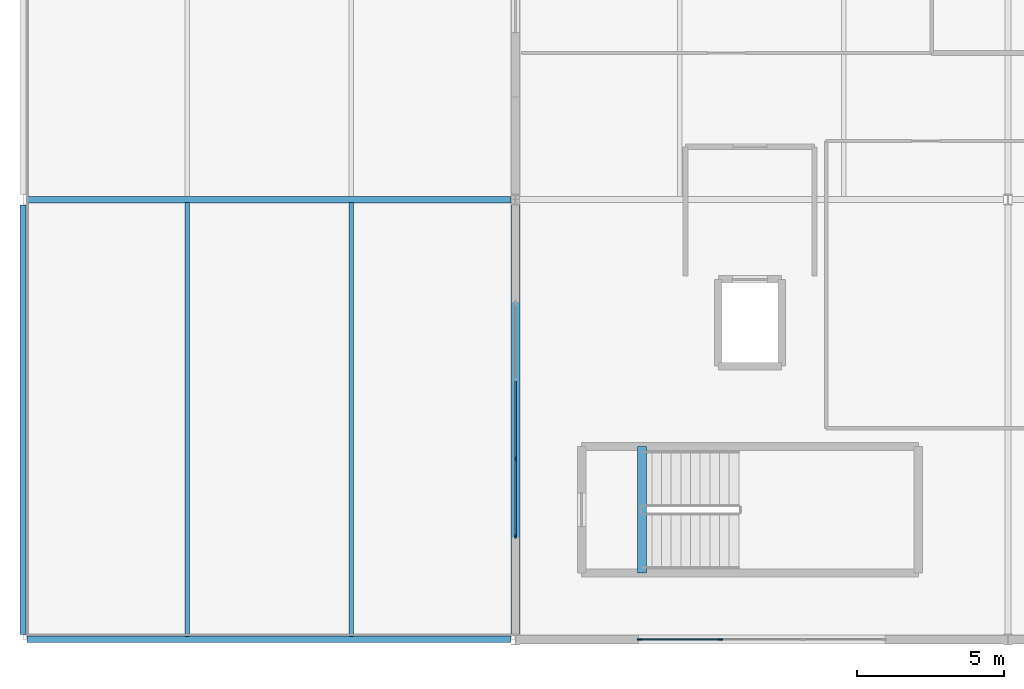
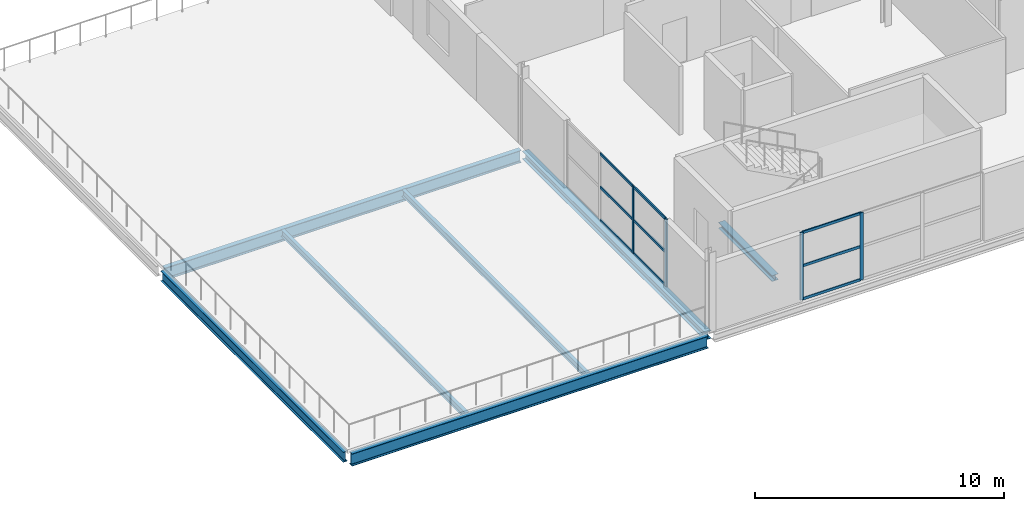
# One storey, part 3 of 18: 13 members, 7 beams, 2 elements without a shape of their own.
"""IFC4 building model written with IfcOpenShell, lengths in metres."""

from ifc_helpers import new_model, si_unit, direction, frame, origin, origin_2d, place, context, subcontext, project, spatial, rectangle, i_section, extrude, material, material_profile, profile_set, type_object, element, aggregate, save


model = new_model("IFC4")

# Units and contexts
model_context = context("Model", 3, precision=1e-05, world=origin(), true_north=direction((0.0, 1.0)))
body_context = subcontext(model_context, "Body", "Model", "MODEL_VIEW")
ifc_project = project(units=[si_unit("LENGTHUNIT", "METRE"), si_unit("AREAUNIT", "SQUARE_METRE"), si_unit("VOLUMEUNIT", "CUBIC_METRE"), si_unit("PLANEANGLEUNIT", "RADIAN"), si_unit("MASSUNIT", "GRAM", prefix="KILO")], contexts=[model_context])

# Site, building, storey
site_placement = place(None, origin())
site = spatial("IfcSite", under=ifc_project, at=site_placement, CompositionType="ELEMENT")
building_placement = place(site_placement, origin())
building = spatial("IfcBuilding", under=site, at=building_placement, Name="Kimbaza Rail Terminus", CompositionType="ELEMENT")
storey_placement = place(building_placement, frame((0.0, 0.0, 24.89990234375)))
storey = spatial("IfcBuildingStorey", under=building, at=storey_placement, Name="L05", CompositionType="ELEMENT", Elevation=24.89990234375)

# Curtain wall, members
ifc_material_1 = material(Name="Anodised aluminium framing and solar low-E glazing", Category="aluminium")
curtain_wall_type = type_object("IfcCurtainWallType", Name="ARC-CW-OP2", PredefinedType="USERDEFINED", material=ifc_material_1)
curtain_wall_1_placement = place(storey_placement, origin())
curtain_wall_1 = element("IfcCurtainWall", 1, at=curtain_wall_1_placement, inside=storey, type_object=curtain_wall_type, Name="Operations South Curtain Wall L05 Bay 1", ObjectType="STICK CURTAIN WALL", PredefinedType="USERDEFINED")
ifc_material_2 = material(Name="Anodised architectural aluminium", Category="aluminium")
ifc_material_profile_1 = material_profile(ifc_material_2, rectangle(XDim=0.05810546875, YDim=0.14990234375, at=origin_2d()), Name="MULLION 58x150")
ifc_profile_set_1 = profile_set([ifc_material_profile_1], Name="Anodised architectural aluminium")
member_type_1 = type_object("IfcMemberType", Name="ARC-CWM-06", PredefinedType="MULLION", material=ifc_profile_set_1)
member_1_placement = place(storey_placement, frame((76.22900390625, 103.0, 0.0), z_axis=(0.0, 0.0, 1.0), x_axis=(0.0, 1.0, 0.0)))
member_1 = element("IfcMember", 2, at=member_1_placement, type_object=member_type_1, Name="CW-06 mullion 1", PredefinedType="MULLION", context=body_context, shape_type="SweptSolid", body=[
    extrude(rectangle(XDim=0.05810546875, YDim=0.14990234375, at=origin_2d()), origin(), (0.0, 0.0, 1.0), 3.300048828125),
])
member_2_placement = place(storey_placement, frame((79.0, 103.0, 0.0), z_axis=(0.0, 0.0, 1.0), x_axis=(0.0, 1.0, 0.0)))
member_2 = element("IfcMember", 3, at=member_2_placement, type_object=member_type_1, Name="CW-06 mullion 2", PredefinedType="MULLION", context=body_context, shape_type="SweptSolid", body=[
    extrude(rectangle(XDim=0.05810546875, YDim=0.14990234375, at=origin_2d()), origin(), (0.0, 0.0, 1.0), 3.300048828125),
])

curtain_wall_2_placement = place(storey_placement, origin())
curtain_wall_2 = element("IfcCurtainWall", 4, at=curtain_wall_2_placement, inside=storey, type_object=curtain_wall_type, Name="Operations W Curtain Wall L05.1", ObjectType="STICK CURTAIN WALL", PredefinedType="USERDEFINED")
member_3_placement = place(storey_placement, frame((72.0, 106.529052734375, 0.0), z_axis=(0.0, 0.0, 1.0), x_axis=(-1.0, 0.0, 0.0)))
member_3 = element("IfcMember", 5, at=member_3_placement, type_object=member_type_1, Name="CW-06 mullion 1", PredefinedType="MULLION", context=body_context, shape_type="SweptSolid", body=[
    extrude(rectangle(XDim=0.05810546875, YDim=0.14990234375, at=origin_2d()), origin(), (0.0, 0.0, 1.0), 3.300048828125),
])
member_4_placement = place(storey_placement, frame((72.0, 109.166748046875, 0.0), z_axis=(0.0, 0.0, 1.0), x_axis=(-1.0, 0.0, 0.0)))
member_4 = element("IfcMember", 6, at=member_4_placement, type_object=member_type_1, Name="CW-06 mullion 2", PredefinedType="MULLION", context=body_context, shape_type="SweptSolid", body=[
    extrude(rectangle(XDim=0.05810546875, YDim=0.14990234375, at=origin_2d()), origin(), (0.0, 0.0, 1.0), 3.300048828125),
])

# Member
ifc_material_3 = material(Name="Anodised architectural aluminium", Category="aluminium")
ifc_material_profile_2 = material_profile(ifc_material_3, rectangle(XDim=0.05810546875, YDim=0.125, at=origin_2d()), Name="TRANSOM 58x125")
ifc_profile_set_2 = profile_set([ifc_material_profile_2], Name="Anodised architectural aluminium")
member_type_2 = type_object("IfcMemberType", Name="ARC-CWT-06", PredefinedType="USERDEFINED", material=ifc_profile_set_2)
member_5_placement = place(storey_placement, frame((76.258056640625, 103.0, 0.029052734375), z_axis=(1.0, 0.0, 0.0), x_axis=(0.0, 1.0, 0.0)))
member_5 = element("IfcMember", 7, at=member_5_placement, type_object=member_type_2, Name="CW-06 transom 1.1", ObjectType="TRANSOM", PredefinedType="USERDEFINED", context=body_context, shape_type="SweptSolid", body=[
    extrude(rectangle(XDim=0.05810546875, YDim=0.125, at=origin_2d()), origin(), (0.0, 0.0, 1.0), 2.712890625),
])

member_6_placement = place(storey_placement, frame((76.258056640625, 103.0, 1.650146484375), z_axis=(1.0, 0.0, 0.0), x_axis=(0.0, 1.0, 0.0)))
member_6 = element("IfcMember", 8, at=member_6_placement, type_object=member_type_2, Name="CW-06 transom 1.2", ObjectType="TRANSOM", PredefinedType="USERDEFINED", context=body_context, shape_type="SweptSolid", body=[
    extrude(rectangle(XDim=0.05810546875, YDim=0.125, at=origin_2d()), origin(), (0.0, 0.0, 1.0), 2.712890625),
])

member_7_placement = place(storey_placement, frame((76.258056640625, 103.0, 3.27099609375), z_axis=(1.0, 0.0, 0.0), x_axis=(0.0, 1.0, 0.0)))
member_7 = element("IfcMember", 9, at=member_7_placement, type_object=member_type_2, Name="CW-06 transom 1.3", ObjectType="TRANSOM", PredefinedType="USERDEFINED", context=body_context, shape_type="SweptSolid", body=[
    extrude(rectangle(XDim=0.05810546875, YDim=0.125, at=origin_2d()), origin(), (0.0, 0.0, 1.0), 2.712890625),
])

aggregate(curtain_wall_1, [member_1, member_2, member_5, member_6, member_7])

member_8_placement = place(storey_placement, frame((72.0, 106.55810546875, 0.029052734375), z_axis=(0.0, 1.0, 0.0), x_axis=(-1.0, 0.0, 0.0)))
member_8 = element("IfcMember", 10, at=member_8_placement, type_object=member_type_2, Name="CW-06 transom 1.1", ObjectType="TRANSOM", PredefinedType="USERDEFINED", context=body_context, shape_type="SweptSolid", body=[
    extrude(rectangle(XDim=0.05810546875, YDim=0.125, at=origin_2d()), origin(), (0.0, 0.0, 1.0), 2.57958984375),
])

member_9_placement = place(storey_placement, frame((72.0, 106.55810546875, 1.650146484375), z_axis=(0.0, 1.0, 0.0), x_axis=(-1.0, 0.0, 0.0)))
member_9 = element("IfcMember", 11, at=member_9_placement, type_object=member_type_2, Name="CW-06 transom 1.2", ObjectType="TRANSOM", PredefinedType="USERDEFINED", context=body_context, shape_type="SweptSolid", body=[
    extrude(rectangle(XDim=0.05810546875, YDim=0.125, at=origin_2d()), origin(), (0.0, 0.0, 1.0), 2.57958984375),
])

member_10_placement = place(storey_placement, frame((72.0, 106.55810546875, 3.27099609375), z_axis=(0.0, 1.0, 0.0), x_axis=(-1.0, 0.0, 0.0)))
member_10 = element("IfcMember", 12, at=member_10_placement, type_object=member_type_2, Name="CW-06 transom 1.3", ObjectType="TRANSOM", PredefinedType="USERDEFINED", context=body_context, shape_type="SweptSolid", body=[
    extrude(rectangle(XDim=0.05810546875, YDim=0.125, at=origin_2d()), origin(), (0.0, 0.0, 1.0), 2.57958984375),
])

member_11_placement = place(storey_placement, frame((72.0, 109.195556640625, 0.029052734375), z_axis=(0.0, 1.0, 0.0), x_axis=(-1.0, 0.0, 0.0)))
member_11 = element("IfcMember", 13, at=member_11_placement, type_object=member_type_2, Name="CW-06 transom 2.1", ObjectType="TRANSOM", PredefinedType="USERDEFINED", context=body_context, shape_type="SweptSolid", body=[
    extrude(rectangle(XDim=0.05810546875, YDim=0.125, at=origin_2d()), origin(), (0.0, 0.0, 1.0), 2.60888671875),
])

member_12_placement = place(storey_placement, frame((72.0, 109.195556640625, 1.650146484375), z_axis=(0.0, 1.0, 0.0), x_axis=(-1.0, 0.0, 0.0)))
member_12 = element("IfcMember", 14, at=member_12_placement, type_object=member_type_2, Name="CW-06 transom 2.2", ObjectType="TRANSOM", PredefinedType="USERDEFINED", context=body_context, shape_type="SweptSolid", body=[
    extrude(rectangle(XDim=0.05810546875, YDim=0.125, at=origin_2d()), origin(), (0.0, 0.0, 1.0), 2.60888671875),
])

member_13_placement = place(storey_placement, frame((72.0, 109.195556640625, 3.27099609375), z_axis=(0.0, 1.0, 0.0), x_axis=(-1.0, 0.0, 0.0)))
member_13 = element("IfcMember", 15, at=member_13_placement, type_object=member_type_2, Name="CW-06 transom 2.3", ObjectType="TRANSOM", PredefinedType="USERDEFINED", context=body_context, shape_type="SweptSolid", body=[
    extrude(rectangle(XDim=0.05810546875, YDim=0.125, at=origin_2d()), origin(), (0.0, 0.0, 1.0), 2.60888671875),
])

aggregate(curtain_wall_2, [member_3, member_4, member_8, member_9, member_10, member_11, member_12, member_13])

# Beams
ifc_material_4 = material(Name="Steel S355", Category="steel")
ifc_material_profile_3 = material_profile(ifc_material_4, i_section(OverallWidth=0.300048828125, OverallDepth=0.2900390625, WebThickness=0.008544921875, FlangeThickness=0.013916015625, FilletRadius=0.027099609375, at=origin_2d()), Name="HEA 300")
ifc_profile_set_3 = profile_set([ifc_material_profile_3], Name="Steel S355")
beam_type_1 = type_object("IfcBeamType", Name="STR-BM-HEA300", PredefinedType="SPANDREL", material=ifc_profile_set_3)
beam_1_placement = place(storey_placement, frame((76.320068359375, 105.260009765625, -0.3349609375), z_axis=(0.0, 1.0, 0.0), x_axis=(-1.0, 0.0, 0.0)))
element("IfcBeam", 16, at=beam_1_placement, inside=storey, type_object=beam_type_1, Name="Operations West Exit Stair Landing Trimmer Beam L05", PredefinedType="SPANDREL", context=body_context, shape_type="SweptSolid", body=[
    extrude(i_section(OverallWidth=0.300048828125, OverallDepth=0.2900390625, WebThickness=0.008544921875, FlangeThickness=0.013916015625, FilletRadius=0.027099609375, at=origin_2d()), origin(), (0.0, 0.0, 1.0), 4.320068359375),
])
ifc_material_5 = material(Name="Steel S355", Category="steel")
ifc_material_profile_4 = material_profile(ifc_material_5, i_section(OverallWidth=0.300048828125, OverallDepth=0.389892578125, WebThickness=0.010986328125, FlangeThickness=0.01904296875, FilletRadius=0.027099609375, at=origin_2d()), Name="HEA 400")
ifc_profile_set_4 = profile_set([ifc_material_profile_4], Name="Steel S355")
beam_type_2 = type_object("IfcBeamType", Name="STR-BM-HEA400", PredefinedType="SPANDREL", material=ifc_profile_set_4)
beam_2_placement = place(storey_placement, frame((72.0, 103.175048828125, -0.385009765625), z_axis=(0.0, 1.0, 0.0), x_axis=(-1.0, 0.0, 0.0)))
element("IfcBeam", 17, at=beam_2_placement, inside=storey, type_object=beam_type_2, Name="Operations Cross Girder L05 X0-Y0", PredefinedType="SPANDREL", context=body_context, shape_type="SweptSolid", body=[
    extrude(i_section(OverallWidth=0.300048828125, OverallDepth=0.389892578125, WebThickness=0.010986328125, FlangeThickness=0.01904296875, FilletRadius=0.027099609375, at=origin_2d()), origin(), (0.0, 0.0, 1.0), 14.64990234375),
])
ifc_material_6 = material(Name="Steel S355", Category="steel")
ifc_material_profile_5 = material_profile(ifc_material_6, i_section(OverallWidth=0.159912109375, OverallDepth=0.330078125, WebThickness=0.007568359375, FlangeThickness=0.011474609375, FilletRadius=0.01806640625, at=origin_2d()), Name="IPE 330")
ifc_profile_set_5 = profile_set([ifc_material_profile_5], Name="Steel S355")
beam_type_3 = type_object("IfcBeamType", Name="STR-BM-IPE330", PredefinedType="JOIST", material=ifc_profile_set_5)
for number, where, z_axis, x_axis, name in (
    (18, (60.800048828125, 103.10009765625, -0.35498046875), (0.0, 1.0, 0.0), (-1.0, 0.0, 0.0), "Beam JST-TER5-1-0"),
    (19, (66.39990234375, 103.10009765625, -0.35498046875), (0.0, 1.0, 0.0), (-1.0, 0.0, 0.0), "Beam JST-TER5-2-0"),
):
    element("IfcBeam", number, at=place(storey_placement, frame(where, z_axis=z_axis, x_axis=x_axis)), inside=storey, type_object=beam_type_3, Name=name, PredefinedType="JOIST", context=body_context, shape_type="SweptSolid", body=[
        extrude(i_section(OverallWidth=0.159912109375, OverallDepth=0.330078125, WebThickness=0.007568359375, FlangeThickness=0.011474609375, FilletRadius=0.01806640625, at=origin_2d()), origin(), (0.0, 0.0, 1.0), 14.7998046875),
    ])
ifc_material_7 = material(Name="Steel S355", Category="steel")
ifc_material_profile_6 = material_profile(ifc_material_7, i_section(OverallWidth=0.199951171875, OverallDepth=0.5, WebThickness=0.01025390625, FlangeThickness=0.01611328125, FilletRadius=0.02099609375, at=origin_2d()), Name="IPE 500")
ifc_profile_set_6 = profile_set([ifc_material_profile_6], Name="Steel S355")
beam_type_4 = type_object("IfcBeamType", Name="STR-BM-IPE500", PredefinedType="BEAM", material=ifc_profile_set_6)
beam_3_placement = place(storey_placement, frame((55.199951171875, 103.175048828125, -0.43994140625), z_axis=(0.0, 1.0, 0.0), x_axis=(-1.0, 0.0, 0.0)))
element("IfcBeam", 20, at=beam_3_placement, inside=storey, type_object=beam_type_4, Name="Beam BM-TER5Y-0", PredefinedType="BEAM", context=body_context, shape_type="SweptSolid", body=[
    extrude(i_section(OverallWidth=0.199951171875, OverallDepth=0.5, WebThickness=0.01025390625, FlangeThickness=0.01611328125, FilletRadius=0.02099609375, at=origin_2d()), origin(), (0.0, 0.0, 1.0), 14.64990234375),
])
ifc_material_8 = material(Name="Steel S355", Category="steel")
ifc_material_profile_7 = material_profile(ifc_material_8, i_section(OverallWidth=0.219970703125, OverallDepth=0.60009765625, WebThickness=0.011962890625, FlangeThickness=0.01904296875, FilletRadius=0.02392578125, at=origin_2d()), Name="IPE 600")
ifc_profile_set_7 = profile_set([ifc_material_profile_7], Name="Steel S355")
beam_type_5 = type_object("IfcBeamType", Name="STR-BM-IPE600", PredefinedType="BEAM", material=ifc_profile_set_7)
for number, where, z_axis, x_axis, name in (
    (21, (55.345947265625, 103.0, -0.489990234375), (1.0, 0.0, 0.0), (0.0, 1.0, 0.0), "Beam BM-TER5X-0"),
    (22, (55.345947265625, 118.0, -0.489990234375), (1.0, 0.0, 0.0), (0.0, 1.0, 0.0), "Beam BM-TER5X-1"),
):
    element("IfcBeam", number, at=place(storey_placement, frame(where, z_axis=z_axis, x_axis=x_axis)), inside=storey, type_object=beam_type_5, Name=name, PredefinedType="BEAM", context=body_context, shape_type="SweptSolid", body=[
        extrude(i_section(OverallWidth=0.219970703125, OverallDepth=0.60009765625, WebThickness=0.011962890625, FlangeThickness=0.01904296875, FilletRadius=0.02392578125, at=origin_2d()), origin(), (0.0, 0.0, 1.0), 16.508056640625),
    ])

save(model, "model.ifc")
